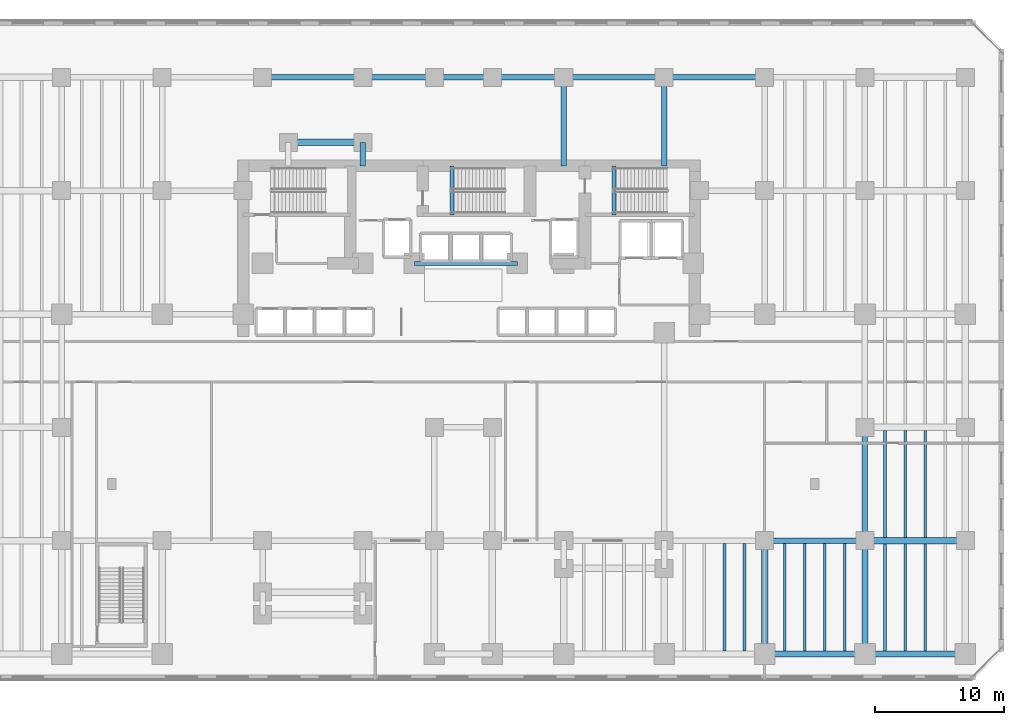
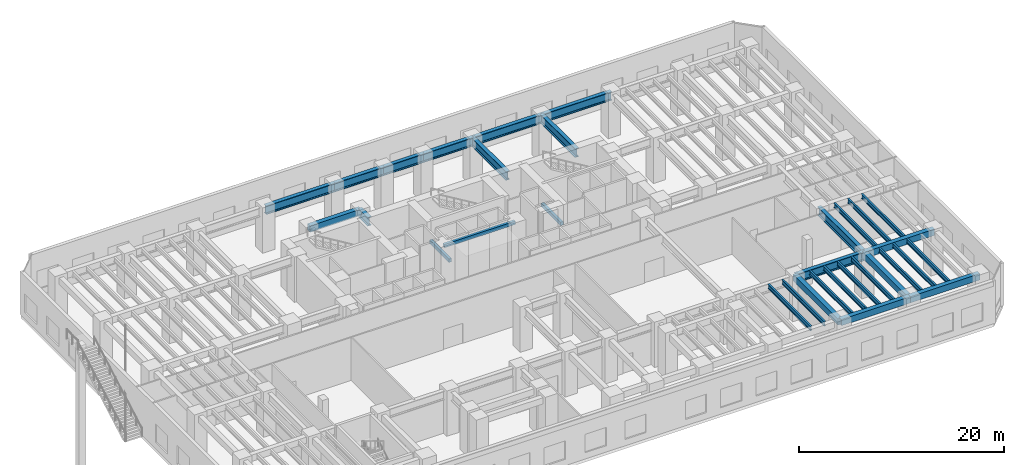
# One storey, part 5 of 21: 32 beams.
"""IFC4 building model written with IfcOpenShell, lengths in metres."""

from ifc_helpers import new_model, si_unit, direction, frame, origin, origin_2d, place, context, subcontext, project, spatial, rectangle, i_section, extrude, material, material_profile, profile_set, type_object, element, save


model = new_model("IFC4")

# Units and contexts
model_context = context("Model", 3, precision=1e-05, world=origin(), true_north=direction((0.0, 1.0)))
body_context = subcontext(model_context, "Body", "Model", "MODEL_VIEW")
ifc_project = project(units=[si_unit("LENGTHUNIT", "METRE"), si_unit("AREAUNIT", "SQUARE_METRE"), si_unit("VOLUMEUNIT", "CUBIC_METRE"), si_unit("PLANEANGLEUNIT", "RADIAN"), si_unit("MASSUNIT", "GRAM", prefix="KILO")], contexts=[model_context])

# Site, building, storey
site_placement = place(None, origin())
site = spatial("IfcSite", under=ifc_project, at=site_placement, CompositionType="ELEMENT")
building_placement = place(site_placement, origin())
building = spatial("IfcBuilding", under=site, at=building_placement, Name="Kestravale Grand Hotel", CompositionType="ELEMENT")
storey_placement = place(building_placement, frame((0.0, 0.0, 10.39990234375)))
storey = spatial("IfcBuildingStorey", under=building, at=storey_placement, Name="L02", CompositionType="ELEMENT", Elevation=10.39990234375)

# Beams
ifc_material_1 = material(Name="Steel ASTM A992 Grade 50", Category="steel")
ifc_material_profile_1 = material_profile(ifc_material_1, i_section(OverallWidth=0.2099609375, OverallDepth=0.535888671875, WebThickness=0.010986328125, FlangeThickness=0.017333984375, FilletRadius=0.017578125, at=origin_2d()))
ifc_profile_set_1 = profile_set([ifc_material_profile_1], Name="Steel ASTM A992 Grade 50")
beam_type_1 = type_object("IfcBeamType", Name="B-FLR-JST21", PredefinedType="JOIST", material=ifc_profile_set_1)
for number, where, z_axis, x_axis, name in (
    (1, (59.280029296875, 2.64990234375, 4.83203125), (0.0, 1.0, 0.0), (-1.0, 0.0, 0.0), "L02 floor joist 9-10/B-C #3"),
    (2, (60.840087890625, 2.64990234375, 4.83203125), (0.0, 1.0, 0.0), (-1.0, 0.0, 0.0), "L02 floor joist 9-10/B-C #4"),
    (3, (63.9599609375, 2.64990234375, 4.83203125), (0.0, 1.0, 0.0), (-1.0, 0.0, 0.0), "L02 floor joist 10-11/B-C #1"),
    (4, (65.52001953125, 2.64990234375, 4.83203125), (0.0, 1.0, 0.0), (-1.0, 0.0, 0.0), "L02 floor joist 10-11/B-C #2"),
    (5, (67.080078125, 2.64990234375, 4.83203125), (0.0, 1.0, 0.0), (-1.0, 0.0, 0.0), "L02 floor joist 10-11/B-C #3"),
    (6, (68.639892578125, 2.64990234375, 4.83203125), (0.0, 1.0, 0.0), (-1.0, 0.0, 0.0), "L02 floor joist 10-11/B-C #4"),
):
    element("IfcBeam", number, at=place(storey_placement, frame(where, z_axis=z_axis, x_axis=x_axis)), inside=storey, type_object=beam_type_1, Name=name, PredefinedType="JOIST", context=body_context, shape_type="SweptSolid", body=[
        extrude(i_section(OverallWidth=0.2099609375, OverallDepth=0.535888671875, WebThickness=0.010986328125, FlangeThickness=0.017333984375, FilletRadius=0.017578125, at=origin_2d()), origin(), (0.0, 0.0, 1.0), 8.336669921875),
    ])
for number, where, z_axis, x_axis, name in (
    (7, (71.760009765625, 2.64990234375, 4.83203125), (0.0, 1.0, 0.0), (-1.0, 0.0, 0.0), "L02 floor joist 11-12/B-C #1"),
    (8, (73.320068359375, 2.64990234375, 4.83203125), (0.0, 1.0, 0.0), (-1.0, 0.0, 0.0), "L02 floor joist 11-12/B-C #2"),
    (9, (74.8798828125, 2.64990234375, 4.83203125), (0.0, 1.0, 0.0), (-1.0, 0.0, 0.0), "L02 floor joist 11-12/B-C #3"),
    (10, (71.760009765625, 11.449951171875, 4.83203125), (0.0, 1.0, 0.0), (-1.0, 0.0, 0.0), "L02 floor joist 11-12/C-D #1"),
    (11, (73.320068359375, 11.449951171875, 4.83203125), (0.0, 1.0, 0.0), (-1.0, 0.0, 0.0), "L02 floor joist 11-12/C-D #2"),
    (12, (74.8798828125, 11.449951171875, 4.83203125), (0.0, 1.0, 0.0), (-1.0, 0.0, 0.0), "L02 floor joist 11-12/C-D #3"),
):
    element("IfcBeam", number, at=place(storey_placement, frame(where, z_axis=z_axis, x_axis=x_axis)), inside=storey, type_object=beam_type_1, Name=name, PredefinedType="JOIST", context=body_context, shape_type="SweptSolid", body=[
        extrude(i_section(OverallWidth=0.2099609375, OverallDepth=0.535888671875, WebThickness=0.010986328125, FlangeThickness=0.017333984375, FilletRadius=0.017578125, at=origin_2d()), origin(), (0.0, 0.0, 1.0), 8.300048828125),
    ])
ifc_material_2 = material(Name="Concrete f'c 45 MPa", Category="concrete")
ifc_material_profile_2 = material_profile(ifc_material_2, rectangle(XDim=0.300048828125, YDim=0.39990234375, at=origin_2d()))
ifc_profile_set_2 = profile_set([ifc_material_profile_2], Name="Concrete f'c 45 MPa")
beam_type_2 = type_object("IfcBeamType", Name="B-FLR-LNT400", PredefinedType="LINTEL", material=ifc_profile_set_2)
beam_1_placement = place(storey_placement, frame((35.199951171875, 32.75, 4.900146484375), z_axis=(1.0, 0.0, 0.0), x_axis=(0.0, 1.0, 0.0)))
element("IfcBeam", 13, at=beam_1_placement, inside=storey, type_object=beam_type_2, Name="L02 core portal header lintel", PredefinedType="LINTEL", context=body_context, shape_type="SweptSolid", body=[
    extrude(rectangle(XDim=0.300048828125, YDim=0.39990234375, at=origin_2d()), origin(), (0.0, 0.0, 1.0), 8.0),
])
for number, where, z_axis, x_axis, name in (
    (14, (38.110107421875, 36.52001953125, -0.199951171875), (0.0, 1.0, 0.0), (-1.0, 0.0, 0.0), "L02 ST2 flight bottom header beam"),
    (15, (50.7099609375, 36.52001953125, -0.199951171875), (0.0, 1.0, 0.0), (-1.0, 0.0, 0.0), "L02 ST3 flight bottom header beam"),
):
    element("IfcBeam", number, at=place(storey_placement, frame(where, z_axis=z_axis, x_axis=x_axis)), inside=storey, type_object=beam_type_2, Name=name, PredefinedType="LINTEL", context=body_context, shape_type="SweptSolid", body=[
        extrude(rectangle(XDim=0.300048828125, YDim=0.39990234375, at=origin_2d()), origin(), (0.0, 0.0, 1.0), 3.800048828125),
    ])
ifc_material_3 = material(Name="Concrete f'c 45 MPa", Category="concrete")
ifc_material_profile_3 = material_profile(ifc_material_3, rectangle(XDim=0.5, YDim=0.75, at=origin_2d()))
ifc_profile_set_3 = profile_set([ifc_material_profile_3], Name="Concrete f'c 45 MPa")
beam_type_3 = type_object("IfcBeamType", Name="B-FLR-RC750", PredefinedType="SPANDREL", material=ifc_profile_set_3)
for number, where, z_axis, x_axis, name in (
    (16, (62.39990234375, 2.39990234375, 4.72509765625), (1.0, 0.0, 0.0), (0.0, 1.0, 0.0), "L02 spandrel B:10-11"),
    (17, (70.199951171875, 2.39990234375, 4.72509765625), (1.0, 0.0, 0.0), (0.0, 1.0, 0.0), "L02 spandrel B:11-12"),
    (18, (70.199951171875, 11.199951171875, 4.72509765625), (1.0, 0.0, 0.0), (0.0, 1.0, 0.0), "L02 spandrel C:11-12"),
):
    element("IfcBeam", number, at=place(storey_placement, frame(where, z_axis=z_axis, x_axis=x_axis)), inside=storey, type_object=beam_type_3, Name=name, PredefinedType="SPANDREL", context=body_context, shape_type="SweptSolid", body=[
        extrude(rectangle(XDim=0.5, YDim=0.75, at=origin_2d()), origin(), (0.0, 0.0, 1.0), 7.800048828125),
    ])
beam_2_placement = place(storey_placement, frame((25.39990234375, 42.14990234375, 4.72509765625), z_axis=(1.0, 0.0, 0.0), x_axis=(0.0, 1.0, 0.0)))
element("IfcBeam", 19, at=beam_2_placement, inside=storey, type_object=beam_type_3, Name="L02 perimeter tie spandrel FN:4-5", PredefinedType="SPANDREL", context=body_context, shape_type="SweptSolid", body=[
    extrude(rectangle(XDim=0.5, YDim=0.75, at=origin_2d()), origin(), (0.0, 0.0, 1.0), 5.800048828125),
])
for number, where, z_axis, x_axis, name in (
    (20, (62.39990234375, 2.39990234375, 4.72509765625), (0.0, 1.0, 0.0), (-1.0, 0.0, 0.0), "L02 spandrel 10:B-C"),
    (21, (70.199951171875, 2.39990234375, 4.72509765625), (0.0, 1.0, 0.0), (-1.0, 0.0, 0.0), "L02 spandrel 11:B-C"),
):
    element("IfcBeam", number, at=place(storey_placement, frame(where, z_axis=z_axis, x_axis=x_axis)), inside=storey, type_object=beam_type_3, Name=name, PredefinedType="SPANDREL", context=body_context, shape_type="SweptSolid", body=[
        extrude(rectangle(XDim=0.5, YDim=0.75, at=origin_2d()), origin(), (0.0, 0.0, 1.0), 8.800048828125),
    ])
ifc_material_4 = material(Name="Steel ASTM A992 Grade 50", Category="steel")
ifc_material_profile_4 = material_profile(ifc_material_4, i_section(OverallWidth=0.427001953125, OverallDepth=1.0400390625, WebThickness=0.031005859375, FlangeThickness=0.055908203125, FilletRadius=0.028076171875, at=origin_2d()))
ifc_profile_set_4 = profile_set([ifc_material_profile_4], Name="Steel ASTM A992 Grade 50")
beam_type_4 = type_object("IfcBeamType", Name="B-GRD-W40", PredefinedType="BEAM", material=ifc_profile_set_4)
for number, where, z_axis, x_axis, name in (
    (22, (62.39990234375, 11.199951171875, 4.580078125), (1.0, 0.0, 0.0), (0.0, 1.0, 0.0), "L02 girder C:10-11"),
    (23, (23.39990234375, 47.199951171875, 4.580078125), (1.0, 0.0, 0.0), (0.0, 1.0, 0.0), "L02 girder G:4-5"),
):
    element("IfcBeam", number, at=place(storey_placement, frame(where, z_axis=z_axis, x_axis=x_axis)), inside=storey, type_object=beam_type_4, Name=name, PredefinedType="BEAM", context=body_context, shape_type="SweptSolid", body=[
        extrude(i_section(OverallWidth=0.427001953125, OverallDepth=1.0400390625, WebThickness=0.031005859375, FlangeThickness=0.055908203125, FilletRadius=0.028076171875, at=origin_2d()), origin(), (0.0, 0.0, 1.0), 7.800048828125),
    ])
beam_3_placement = place(storey_placement, frame((31.199951171875, 47.199951171875, 4.580078125), z_axis=(1.0, 0.0, 0.0), x_axis=(0.0, 1.0, 0.0)))
element("IfcBeam", 24, at=beam_3_placement, inside=storey, type_object=beam_type_4, Name="L02 girder G:5-6", PredefinedType="BEAM", context=body_context, shape_type="SweptSolid", body=[
    extrude(i_section(OverallWidth=0.427001953125, OverallDepth=1.0400390625, WebThickness=0.031005859375, FlangeThickness=0.055908203125, FilletRadius=0.028076171875, at=origin_2d()), origin(), (0.0, 0.0, 1.0), 5.550048828125),
])
beam_4_placement = place(storey_placement, frame((36.75, 47.199951171875, 4.580078125), z_axis=(1.0, 0.0, 0.0), x_axis=(0.0, 1.0, 0.0)))
element("IfcBeam", 25, at=beam_4_placement, inside=storey, type_object=beam_type_4, Name="L02 girder G:6-7", PredefinedType="BEAM", context=body_context, shape_type="SweptSolid", body=[
    extrude(i_section(OverallWidth=0.427001953125, OverallDepth=1.0400390625, WebThickness=0.031005859375, FlangeThickness=0.055908203125, FilletRadius=0.028076171875, at=origin_2d()), origin(), (0.0, 0.0, 1.0), 4.5),
])
beam_5_placement = place(storey_placement, frame((41.25, 47.199951171875, 4.580078125), z_axis=(1.0, 0.0, 0.0), x_axis=(0.0, 1.0, 0.0)))
element("IfcBeam", 26, at=beam_5_placement, inside=storey, type_object=beam_type_4, Name="L02 girder G:7-8", PredefinedType="BEAM", context=body_context, shape_type="SweptSolid", body=[
    extrude(i_section(OverallWidth=0.427001953125, OverallDepth=1.0400390625, WebThickness=0.031005859375, FlangeThickness=0.055908203125, FilletRadius=0.028076171875, at=origin_2d()), origin(), (0.0, 0.0, 1.0), 5.550048828125),
])
beam_6_placement = place(storey_placement, frame((46.800048828125, 47.199951171875, 4.580078125), z_axis=(1.0, 0.0, 0.0), x_axis=(0.0, 1.0, 0.0)))
element("IfcBeam", 27, at=beam_6_placement, inside=storey, type_object=beam_type_4, Name="L02 girder G:8-9", PredefinedType="BEAM", context=body_context, shape_type="SweptSolid", body=[
    extrude(i_section(OverallWidth=0.427001953125, OverallDepth=1.0400390625, WebThickness=0.031005859375, FlangeThickness=0.055908203125, FilletRadius=0.028076171875, at=origin_2d()), origin(), (0.0, 0.0, 1.0), 7.800048828125),
])
beam_7_placement = place(storey_placement, frame((54.60009765625, 47.199951171875, 4.580078125), z_axis=(1.0, 0.0, 0.0), x_axis=(0.0, 1.0, 0.0)))
element("IfcBeam", 28, at=beam_7_placement, inside=storey, type_object=beam_type_4, Name="L02 girder G:9-10", PredefinedType="BEAM", context=body_context, shape_type="SweptSolid", body=[
    extrude(i_section(OverallWidth=0.427001953125, OverallDepth=1.0400390625, WebThickness=0.031005859375, FlangeThickness=0.055908203125, FilletRadius=0.028076171875, at=origin_2d()), origin(), (0.0, 0.0, 1.0), 7.7998046875),
])
beam_8_placement = place(storey_placement, frame((70.199951171875, 11.199951171875, 4.580078125), z_axis=(0.0, 1.0, 0.0), x_axis=(-1.0, 0.0, 0.0)))
element("IfcBeam", 29, at=beam_8_placement, inside=storey, type_object=beam_type_4, Name="L02 girder 11:C-D", PredefinedType="BEAM", context=body_context, shape_type="SweptSolid", body=[
    extrude(i_section(OverallWidth=0.427001953125, OverallDepth=1.0400390625, WebThickness=0.031005859375, FlangeThickness=0.055908203125, FilletRadius=0.028076171875, at=origin_2d()), origin(), (0.0, 0.0, 1.0), 8.800048828125),
])
beam_9_placement = place(storey_placement, frame((31.199951171875, 40.320068359375, 4.580078125), z_axis=(0.0, 1.0, 0.0), x_axis=(-1.0, 0.0, 0.0)))
element("IfcBeam", 30, at=beam_9_placement, inside=storey, type_object=beam_type_4, Name="L02 north wing tie girder 5:CN-FN", PredefinedType="BEAM", context=body_context, shape_type="SweptSolid", body=[
    extrude(i_section(OverallWidth=0.427001953125, OverallDepth=1.0400390625, WebThickness=0.031005859375, FlangeThickness=0.055908203125, FilletRadius=0.028076171875, at=origin_2d()), origin(), (0.0, 0.0, 1.0), 1.829833984375),
])
for number, where, z_axis, x_axis, name in (
    (31, (46.800048828125, 40.320068359375, 4.580078125), (0.0, 1.0, 0.0), (-1.0, 0.0, 0.0), "L02 north wing tie girder 8:CN-G"),
    (32, (54.60009765625, 40.320068359375, 4.580078125), (0.0, 1.0, 0.0), (-1.0, 0.0, 0.0), "L02 north wing tie girder 9:CN-G"),
):
    element("IfcBeam", number, at=place(storey_placement, frame(where, z_axis=z_axis, x_axis=x_axis)), inside=storey, type_object=beam_type_4, Name=name, PredefinedType="BEAM", context=body_context, shape_type="SweptSolid", body=[
        extrude(i_section(OverallWidth=0.427001953125, OverallDepth=1.0400390625, WebThickness=0.031005859375, FlangeThickness=0.055908203125, FilletRadius=0.028076171875, at=origin_2d()), origin(), (0.0, 0.0, 1.0), 6.8798828125),
    ])

save(model, "model.ifc")
